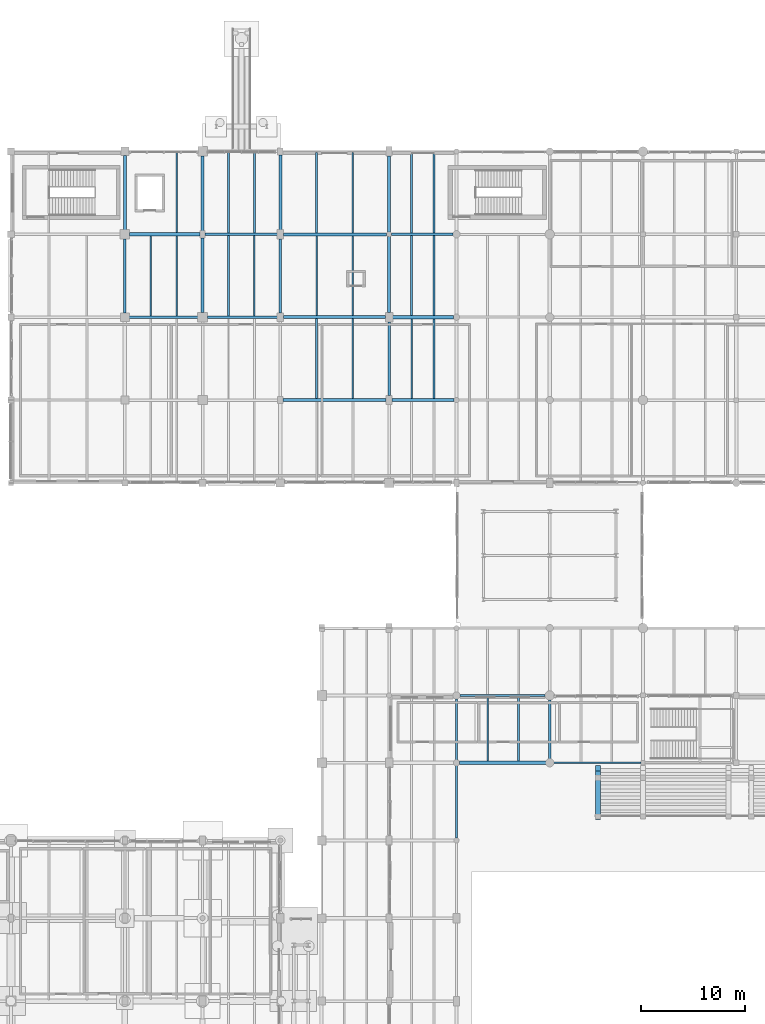
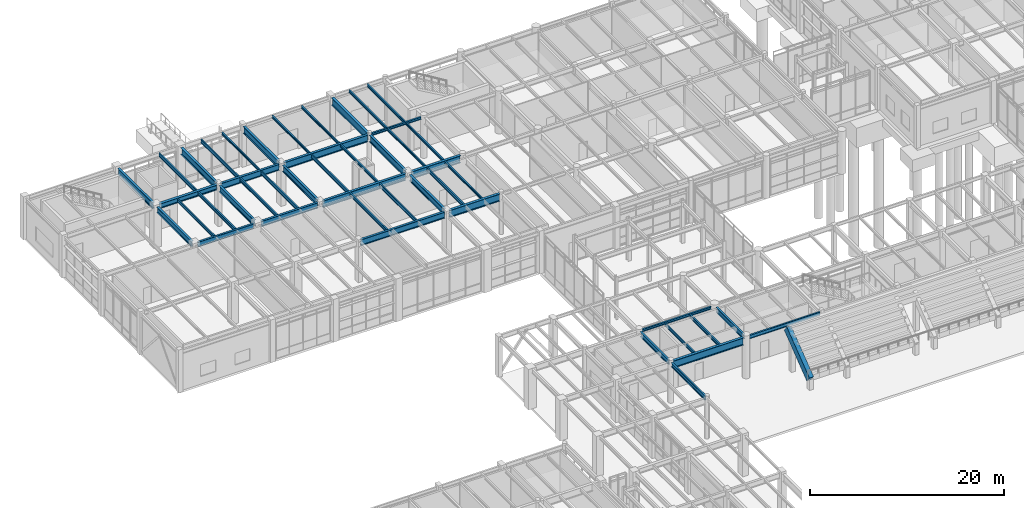
# One storey, part 68 of 203: 47 beams.
"""IFC4 building model written with IfcOpenShell, lengths in metres."""

from ifc_helpers import new_model, si_unit, direction, frame, origin, origin_2d, place, context, subcontext, project, spatial, rectangle, i_section, extrude, material, material_profile, profile_set, type_object, element, save


model = new_model("IFC4")

# Units and contexts
model_context = context("Model", 3, precision=1e-05, world=origin(), true_north=direction((0.0, 1.0)))
body_context = subcontext(model_context, "Body", "Model", "MODEL_VIEW")
ifc_project = project(units=[si_unit("LENGTHUNIT", "METRE"), si_unit("AREAUNIT", "SQUARE_METRE"), si_unit("VOLUMEUNIT", "CUBIC_METRE"), si_unit("PLANEANGLEUNIT", "RADIAN"), si_unit("MASSUNIT", "GRAM", prefix="KILO"), si_unit("THERMODYNAMICTEMPERATUREUNIT", "KELVIN"), si_unit("POWERUNIT", "WATT")], contexts=[model_context])

# Site, building, storey
site_placement = place(None, origin())
site = spatial("IfcSite", under=ifc_project, at=site_placement, CompositionType="ELEMENT")
building_placement = place(site_placement, origin())
building = spatial("IfcBuilding", under=site, at=building_placement, Name="Tepalcoro Natatorium and Aquatics Centre", CompositionType="ELEMENT")
storey_placement = place(building_placement, origin())
storey = spatial("IfcBuildingStorey", under=building, at=storey_placement, Name="L00", CompositionType="ELEMENT", Elevation=0.0)

# Beams
ifc_material_1 = material(Name="Steel ASTM A992 Grade 50 (Fy 345 MPa)", Category="steel")
ifc_material_profile_1 = material_profile(ifc_material_1, i_section(OverallWidth=0.202880859375, OverallDepth=0.304931640625, WebThickness=0.007080078125, FlangeThickness=0.012939453125, FilletRadius=0.013916015625, at=origin_2d()), Name="W12X40")
ifc_profile_set_1 = profile_set([ifc_material_profile_1], Name="Steel ASTM A992 Grade 50 (Fy 345 MPa)")
beam_type_1 = type_object("IfcBeamType", Name="BM_W12x40", PredefinedType="BEAM", material=ifc_profile_set_1)
beam_1_placement = place(storey_placement, frame((53.3349609375, 65.5, 4.9326171875), z_axis=(1.0, 0.0, 0.0), x_axis=(0.0, 1.0, 0.0)))
element("IfcBeam", 1, at=beam_1_placement, inside=storey, type_object=beam_type_1, Name="V1 L00 Grid Girder X", PredefinedType="BEAM", context=body_context, shape_type="SweptSolid", body=[
    extrude(i_section(OverallWidth=0.202880859375, OverallDepth=0.304931640625, WebThickness=0.007080078125, FlangeThickness=0.012939453125, FilletRadius=0.013916015625, at=origin_2d()), origin(), (0.0, 0.0, 1.0), 8.22998046875),
])
beam_2_placement = place(storey_placement, frame((46.735107421875, 110.0, 4.992431640625), z_axis=(1.0, 0.0, 0.0), x_axis=(0.0, 1.0, 0.0)))
element("IfcBeam", 2, at=beam_2_placement, inside=storey, type_object=beam_type_1, Name="V4 L00 Grid Girder X", PredefinedType="BEAM", context=body_context, shape_type="SweptSolid", body=[
    extrude(i_section(OverallWidth=0.202880859375, OverallDepth=0.304931640625, WebThickness=0.007080078125, FlangeThickness=0.012939453125, FilletRadius=0.013916015625, at=origin_2d()), origin(), (0.0, 0.0, 1.0), 5.929931640625),
])
ifc_material_profile_2 = material_profile(ifc_material_1, i_section(OverallWidth=0.19091796875, OverallDepth=0.45703125, WebThickness=0.009033203125, FlangeThickness=0.013916015625, FilletRadius=0.013916015625, at=origin_2d()), Name="W18X50")
ifc_profile_set_2 = profile_set([ifc_material_profile_2], Name="Steel ASTM A992 Grade 50 (Fy 345 MPa)")
beam_type_2 = type_object("IfcBeamType", Name="BM_W18x50", PredefinedType="BEAM", material=ifc_profile_set_2)
beam_3_placement = place(storey_placement, frame((62.385009765625, 59.0, 4.896484375), z_axis=(1.0, 0.0, 0.0), x_axis=(0.0, 1.0, 0.0)))
element("IfcBeam", 3, at=beam_3_placement, inside=storey, type_object=beam_type_2, Name="V1 L00 Grid Girder X", PredefinedType="BEAM", context=body_context, shape_type="SweptSolid", body=[
    extrude(i_section(OverallWidth=0.19091796875, OverallDepth=0.45703125, WebThickness=0.009033203125, FlangeThickness=0.013916015625, FilletRadius=0.013916015625, at=origin_2d()), origin(), (0.0, 0.0, 1.0), 8.429931640625),
])
ifc_material_profile_3 = material_profile(ifc_material_1, i_section(OverallWidth=0.2099609375, OverallDepth=0.532958984375, WebThickness=0.010009765625, FlangeThickness=0.01611328125, FilletRadius=0.013916015625, at=origin_2d()), Name="W21X62")
ifc_profile_set_3 = profile_set([ifc_material_profile_3], Name="Steel ASTM A992 Grade 50 (Fy 345 MPa)")
beam_type_3 = type_object("IfcBeamType", Name="BM_W21x62", PredefinedType="BEAM", material=ifc_profile_set_3)
beam_4_placement = place(storey_placement, frame((53.0, 51.735107421875, 4.8583984375), z_axis=(0.0, 1.0, 0.0), x_axis=(-1.0, 0.0, 0.0)))
element("IfcBeam", 4, at=beam_4_placement, inside=storey, type_object=beam_type_3, Name="V1 L00 Grid Girder Y", PredefinedType="BEAM", context=body_context, shape_type="SweptSolid", body=[
    extrude(i_section(OverallWidth=0.2099609375, OverallDepth=0.532958984375, WebThickness=0.010009765625, FlangeThickness=0.01611328125, FilletRadius=0.013916015625, at=origin_2d()), origin(), (0.0, 0.0, 1.0), 6.97998046875),
])
ifc_material_profile_4 = material_profile(ifc_material_1, i_section(OverallWidth=0.324951171875, OverallDepth=0.616943359375, WebThickness=0.013916015625, FlangeThickness=0.02197265625, FilletRadius=0.013916015625, at=origin_2d()), Name="W24X117")
ifc_profile_set_4 = profile_set([ifc_material_profile_4], Name="Steel ASTM A992 Grade 50 (Fy 345 MPa)")
beam_type_4 = type_object("IfcBeamType", Name="BM_W24x117", PredefinedType="BEAM", material=ifc_profile_set_4)
beam_5_placement = place(storey_placement, frame((21.43505859375, 110.0, 4.83642578125), z_axis=(1.0, 0.0, 0.0), x_axis=(0.0, 1.0, 0.0)))
element("IfcBeam", 5, at=beam_5_placement, inside=storey, type_object=beam_type_4, Name="V4 L00 Grid Girder X", PredefinedType="BEAM", context=body_context, shape_type="SweptSolid", body=[
    extrude(i_section(OverallWidth=0.324951171875, OverallDepth=0.616943359375, WebThickness=0.013916015625, FlangeThickness=0.02197265625, FilletRadius=0.013916015625, at=origin_2d()), origin(), (0.0, 0.0, 1.0), 6.829833984375),
])
ifc_material_profile_5 = material_profile(ifc_material_1, i_section(OverallWidth=0.22802734375, OverallDepth=0.60693359375, WebThickness=0.010986328125, FlangeThickness=0.01708984375, FilletRadius=0.013916015625, at=origin_2d()), Name="W24X76")
ifc_profile_set_5 = profile_set([ifc_material_profile_5], Name="Steel ASTM A992 Grade 50 (Fy 345 MPa)")
beam_type_5 = type_object("IfcBeamType", Name="BM_W24x76", PredefinedType="BEAM", material=ifc_profile_set_5)
beam_6_placement = place(storey_placement, frame((53.0, 59.284912109375, 4.821533203125), z_axis=(0.0, 1.0, 0.0), x_axis=(-1.0, 0.0, 0.0)))
element("IfcBeam", 6, at=beam_6_placement, inside=storey, type_object=beam_type_5, Name="V1 L00 Grid Girder Y", PredefinedType="BEAM", context=body_context, shape_type="SweptSolid", body=[
    extrude(i_section(OverallWidth=0.22802734375, OverallDepth=0.60693359375, WebThickness=0.010986328125, FlangeThickness=0.01708984375, FilletRadius=0.013916015625, at=origin_2d()), origin(), (0.0, 0.0, 1.0), 5.880126953125),
])
ifc_material_profile_6 = material_profile(ifc_material_1, i_section(OverallWidth=0.22998046875, OverallDepth=0.616943359375, WebThickness=0.012939453125, FlangeThickness=0.02197265625, FilletRadius=0.013916015625, at=origin_2d()), Name="W24X94")
ifc_profile_set_6 = profile_set([ifc_material_profile_6], Name="Steel ASTM A992 Grade 50 (Fy 345 MPa)")
beam_type_6 = type_object("IfcBeamType", Name="BM_W24x94", PredefinedType="BEAM", material=ifc_profile_set_6)
beam_7_placement = place(storey_placement, frame((62.0, 59.385009765625, 4.81640625), z_axis=(0.0, 1.0, 0.0), x_axis=(-1.0, 0.0, 0.0)))
element("IfcBeam", 7, at=beam_7_placement, inside=storey, type_object=beam_type_6, Name="V1 L00 Grid Girder Y", PredefinedType="BEAM", context=body_context, shape_type="SweptSolid", body=[
    extrude(i_section(OverallWidth=0.22998046875, OverallDepth=0.616943359375, WebThickness=0.012939453125, FlangeThickness=0.02197265625, FilletRadius=0.013916015625, at=origin_2d()), origin(), (0.0, 0.0, 1.0), 5.679931640625),
])
beam_8_placement = place(storey_placement, frame((21.409912109375, 102.0, 4.83642578125), z_axis=(1.0, 0.0, 0.0), x_axis=(0.0, 1.0, 0.0)))
element("IfcBeam", 8, at=beam_8_placement, inside=storey, type_object=beam_type_6, Name="V4 L00 Grid Girder X", PredefinedType="BEAM", context=body_context, shape_type="SweptSolid", body=[
    extrude(i_section(OverallWidth=0.22998046875, OverallDepth=0.616943359375, WebThickness=0.012939453125, FlangeThickness=0.02197265625, FilletRadius=0.013916015625, at=origin_2d()), origin(), (0.0, 0.0, 1.0), 6.630126953125),
])
ifc_material_profile_7 = material_profile(ifc_material_1, i_section(OverallWidth=0.25390625, OverallDepth=0.700927734375, WebThickness=0.014892578125, FlangeThickness=0.028076171875, FilletRadius=0.013916015625, at=origin_2d()), Name="W27X129")
ifc_profile_set_7 = profile_set([ifc_material_profile_7], Name="Steel ASTM A992 Grade 50 (Fy 345 MPa)")
beam_type_7 = type_object("IfcBeamType", Name="BM_W27x129", PredefinedType="BEAM", material=ifc_profile_set_7)
beam_9_placement = place(storey_placement, frame((28.9599609375, 102.0, 4.79443359375), z_axis=(1.0, 0.0, 0.0), x_axis=(0.0, 1.0, 0.0)))
element("IfcBeam", 9, at=beam_9_placement, inside=storey, type_object=beam_type_7, Name="V4 L00 Grid Girder X", PredefinedType="BEAM", context=body_context, shape_type="SweptSolid", body=[
    extrude(i_section(OverallWidth=0.25390625, OverallDepth=0.700927734375, WebThickness=0.014892578125, FlangeThickness=0.028076171875, FilletRadius=0.013916015625, at=origin_2d()), origin(), (0.0, 0.0, 1.0), 6.755126953125),
])
beam_10_placement = place(storey_placement, frame((21.0, 102.409912109375, 4.79443359375), z_axis=(0.0, 1.0, 0.0), x_axis=(-1.0, 0.0, 0.0)))
element("IfcBeam", 10, at=beam_10_placement, inside=storey, type_object=beam_type_7, Name="V4 L00 Grid Girder Y", PredefinedType="BEAM", context=body_context, shape_type="SweptSolid", body=[
    extrude(i_section(OverallWidth=0.25390625, OverallDepth=0.700927734375, WebThickness=0.014892578125, FlangeThickness=0.028076171875, FilletRadius=0.013916015625, at=origin_2d()), origin(), (0.0, 0.0, 1.0), 7.155029296875),
])
ifc_material_profile_8 = material_profile(ifc_material_1, i_section(OverallWidth=0.26708984375, OverallDepth=0.761962890625, WebThickness=0.013916015625, FlangeThickness=0.02197265625, FilletRadius=0.013916015625, at=origin_2d()), Name="W30X116")
ifc_profile_set_8 = profile_set([ifc_material_profile_8], Name="Steel ASTM A992 Grade 50 (Fy 345 MPa)")
beam_type_8 = type_object("IfcBeamType", Name="BM_W30x116", PredefinedType="BEAM", material=ifc_profile_set_8)
beam_11_placement = place(storey_placement, frame((28.735107421875, 110.0, 4.763916015625), z_axis=(1.0, 0.0, 0.0), x_axis=(0.0, 1.0, 0.0)))
element("IfcBeam", 11, at=beam_11_placement, inside=storey, type_object=beam_type_8, Name="V4 L00 Grid Girder X", PredefinedType="BEAM", context=body_context, shape_type="SweptSolid", body=[
    extrude(i_section(OverallWidth=0.26708984375, OverallDepth=0.761962890625, WebThickness=0.013916015625, FlangeThickness=0.02197265625, FilletRadius=0.013916015625, at=origin_2d()), origin(), (0.0, 0.0, 1.0), 6.97998046875),
])
beam_12_placement = place(storey_placement, frame((28.5, 102.4599609375, 4.763916015625), z_axis=(0.0, 1.0, 0.0), x_axis=(-1.0, 0.0, 0.0)))
element("IfcBeam", 12, at=beam_12_placement, inside=storey, type_object=beam_type_8, Name="V4 L00 Grid Girder Y", PredefinedType="BEAM", context=body_context, shape_type="SweptSolid", body=[
    extrude(i_section(OverallWidth=0.26708984375, OverallDepth=0.761962890625, WebThickness=0.013916015625, FlangeThickness=0.02197265625, FilletRadius=0.013916015625, at=origin_2d()), origin(), (0.0, 0.0, 1.0), 7.205078125),
])
beam_13_placement = place(storey_placement, frame((46.5, 94.43505859375, 4.763916015625), z_axis=(0.0, 1.0, 0.0), x_axis=(-1.0, 0.0, 0.0)))
element("IfcBeam", 13, at=beam_13_placement, inside=storey, type_object=beam_type_8, Name="V4 L00 Grid Girder Y", PredefinedType="BEAM", context=body_context, shape_type="SweptSolid", body=[
    extrude(i_section(OverallWidth=0.26708984375, OverallDepth=0.761962890625, WebThickness=0.013916015625, FlangeThickness=0.02197265625, FilletRadius=0.013916015625, at=origin_2d()), origin(), (0.0, 0.0, 1.0), 7.10498046875),
])
ifc_material_profile_9 = material_profile(ifc_material_1, i_section(OverallWidth=0.26708984375, OverallDepth=0.780029296875, WebThickness=0.01708984375, FlangeThickness=0.030029296875, FilletRadius=0.013916015625, at=origin_2d()), Name="W30X148")
ifc_profile_set_9 = profile_set([ifc_material_profile_9], Name="Steel ASTM A992 Grade 50 (Fy 345 MPa)")
beam_type_9 = type_object("IfcBeamType", Name="BM_W30x148", PredefinedType="BEAM", material=ifc_profile_set_9)
beam_14_placement = place(storey_placement, frame((36.235107421875, 94.0, 4.7548828125), z_axis=(1.0, 0.0, 0.0), x_axis=(0.0, 1.0, 0.0)))
element("IfcBeam", 14, at=beam_14_placement, inside=storey, type_object=beam_type_9, Name="V4 L00 Grid Girder X", PredefinedType="BEAM", context=body_context, shape_type="SweptSolid", body=[
    extrude(i_section(OverallWidth=0.26708984375, OverallDepth=0.780029296875, WebThickness=0.01708984375, FlangeThickness=0.030029296875, FilletRadius=0.013916015625, at=origin_2d()), origin(), (0.0, 0.0, 1.0), 9.97998046875),
])
for number, where, z_axis, x_axis, name in (
    (15, (21.0, 110.43505859375, 4.7548828125), (0.0, 1.0, 0.0), (-1.0, 0.0, 0.0), "V4 L00 Grid Girder Y"),
    (16, (36.0, 102.385009765625, 4.7548828125), (0.0, 1.0, 0.0), (-1.0, 0.0, 0.0), "V4 L00 Grid Girder Y"),
):
    element("IfcBeam", number, at=place(storey_placement, frame(where, z_axis=z_axis, x_axis=x_axis)), inside=storey, type_object=beam_type_9, Name=name, PredefinedType="BEAM", context=body_context, shape_type="SweptSolid", body=[
        extrude(i_section(OverallWidth=0.26708984375, OverallDepth=0.780029296875, WebThickness=0.01708984375, FlangeThickness=0.030029296875, FilletRadius=0.013916015625, at=origin_2d()), origin(), (0.0, 0.0, 1.0), 7.179931640625),
    ])
ifc_material_profile_10 = material_profile(ifc_material_1, i_section(OverallWidth=0.2919921875, OverallDepth=0.845947265625, WebThickness=0.014892578125, FlangeThickness=0.02392578125, FilletRadius=0.013916015625, at=origin_2d()), Name="W33X141")
ifc_profile_set_10 = profile_set([ifc_material_profile_10], Name="Steel ASTM A992 Grade 50 (Fy 345 MPa)")
beam_type_10 = type_object("IfcBeamType", Name="BM_W33x141", PredefinedType="BEAM", material=ifc_profile_set_10)
beam_15_placement = place(storey_placement, frame((36.284912109375, 102.0, 4.721923828125), z_axis=(1.0, 0.0, 0.0), x_axis=(0.0, 1.0, 0.0)))
element("IfcBeam", 17, at=beam_15_placement, inside=storey, type_object=beam_type_10, Name="V4 L00 Grid Girder X", PredefinedType="BEAM", context=body_context, shape_type="SweptSolid", body=[
    extrude(i_section(OverallWidth=0.2919921875, OverallDepth=0.845947265625, WebThickness=0.014892578125, FlangeThickness=0.02392578125, FilletRadius=0.013916015625, at=origin_2d()), origin(), (0.0, 0.0, 1.0), 9.880126953125),
])
beam_16_placement = place(storey_placement, frame((28.5, 110.3349609375, 4.721923828125), z_axis=(0.0, 1.0, 0.0), x_axis=(-1.0, 0.0, 0.0)))
element("IfcBeam", 18, at=beam_16_placement, inside=storey, type_object=beam_type_10, Name="V4 L00 Grid Girder Y", PredefinedType="BEAM", context=body_context, shape_type="SweptSolid", body=[
    extrude(i_section(OverallWidth=0.2919921875, OverallDepth=0.845947265625, WebThickness=0.014892578125, FlangeThickness=0.02392578125, FilletRadius=0.013916015625, at=origin_2d()), origin(), (0.0, 0.0, 1.0), 7.22998046875),
])
beam_17_placement = place(storey_placement, frame((46.5, 102.4599609375, 4.721923828125), z_axis=(0.0, 1.0, 0.0), x_axis=(-1.0, 0.0, 0.0)))
element("IfcBeam", 19, at=beam_17_placement, inside=storey, type_object=beam_type_10, Name="V4 L00 Grid Girder Y", PredefinedType="BEAM", context=body_context, shape_type="SweptSolid", body=[
    extrude(i_section(OverallWidth=0.2919921875, OverallDepth=0.845947265625, WebThickness=0.014892578125, FlangeThickness=0.02392578125, FilletRadius=0.013916015625, at=origin_2d()), origin(), (0.0, 0.0, 1.0), 7.304931640625),
])
ifc_material_profile_11 = material_profile(ifc_material_1, i_section(OverallWidth=0.2919921875, OverallDepth=0.85888671875, WebThickness=0.01708984375, FlangeThickness=0.031005859375, FilletRadius=0.013916015625, at=origin_2d()), Name="W33X169")
ifc_profile_set_11 = profile_set([ifc_material_profile_11], Name="Steel ASTM A992 Grade 50 (Fy 345 MPa)")
beam_type_11 = type_object("IfcBeamType", Name="BM_W33x169", PredefinedType="BEAM", material=ifc_profile_set_11)
beam_18_placement = place(storey_placement, frame((36.284912109375, 110.0, 4.715576171875), z_axis=(1.0, 0.0, 0.0), x_axis=(0.0, 1.0, 0.0)))
element("IfcBeam", 20, at=beam_18_placement, inside=storey, type_object=beam_type_11, Name="V4 L00 Grid Girder X", PredefinedType="BEAM", context=body_context, shape_type="SweptSolid", body=[
    extrude(i_section(OverallWidth=0.2919921875, OverallDepth=0.85888671875, WebThickness=0.01708984375, FlangeThickness=0.031005859375, FilletRadius=0.013916015625, at=origin_2d()), origin(), (0.0, 0.0, 1.0), 9.97998046875),
])
beam_19_placement = place(storey_placement, frame((36.0, 110.43505859375, 4.715576171875), z_axis=(0.0, 1.0, 0.0), x_axis=(-1.0, 0.0, 0.0)))
element("IfcBeam", 21, at=beam_19_placement, inside=storey, type_object=beam_type_11, Name="V4 L00 Grid Girder Y", PredefinedType="BEAM", context=body_context, shape_type="SweptSolid", body=[
    extrude(i_section(OverallWidth=0.2919921875, OverallDepth=0.85888671875, WebThickness=0.01708984375, FlangeThickness=0.031005859375, FilletRadius=0.013916015625, at=origin_2d()), origin(), (0.0, 0.0, 1.0), 7.22998046875),
])
ifc_material_profile_12 = material_profile(ifc_material_1, i_section(OverallWidth=0.304931640625, OverallDepth=0.9189453125, WebThickness=0.01708984375, FlangeThickness=0.028076171875, FilletRadius=0.013916015625, at=origin_2d()), Name="W36X170")
ifc_profile_set_12 = profile_set([ifc_material_profile_12], Name="Steel ASTM A992 Grade 50 (Fy 345 MPa)")
beam_type_12 = type_object("IfcBeamType", Name="BM_W36x170", PredefinedType="BEAM", material=ifc_profile_set_12)
beam_20_placement = place(storey_placement, frame((46.784912109375, 94.0, 4.685546875), z_axis=(1.0, 0.0, 0.0), x_axis=(0.0, 1.0, 0.0)))
element("IfcBeam", 22, at=beam_20_placement, inside=storey, type_object=beam_type_12, Name="V4 L00 Grid Girder X", PredefinedType="BEAM", context=body_context, shape_type="SweptSolid", body=[
    extrude(i_section(OverallWidth=0.304931640625, OverallDepth=0.9189453125, WebThickness=0.01708984375, FlangeThickness=0.028076171875, FilletRadius=0.013916015625, at=origin_2d()), origin(), (0.0, 0.0, 1.0), 5.97998046875),
])
beam_21_placement = place(storey_placement, frame((46.5, 110.235107421875, 4.685546875), z_axis=(0.0, 1.0, 0.0), x_axis=(-1.0, 0.0, 0.0)))
element("IfcBeam", 23, at=beam_21_placement, inside=storey, type_object=beam_type_12, Name="V4 L00 Grid Girder Y", PredefinedType="BEAM", context=body_context, shape_type="SweptSolid", body=[
    extrude(i_section(OverallWidth=0.304931640625, OverallDepth=0.9189453125, WebThickness=0.01708984375, FlangeThickness=0.028076171875, FilletRadius=0.013916015625, at=origin_2d()), origin(), (0.0, 0.0, 1.0), 7.329833984375),
])
ifc_material_profile_13 = material_profile(ifc_material_1, i_section(OverallWidth=0.31005859375, OverallDepth=0.931884765625, WebThickness=0.02099609375, FlangeThickness=0.034912109375, FilletRadius=0.013916015625, at=origin_2d()), Name="W36X210")
ifc_profile_set_13 = profile_set([ifc_material_profile_13], Name="Steel ASTM A992 Grade 50 (Fy 345 MPa)")
beam_type_13 = type_object("IfcBeamType", Name="BM_W36x210", PredefinedType="BEAM", material=ifc_profile_set_13)
beam_22_placement = place(storey_placement, frame((53.284912109375, 59.0, 4.658935546875), z_axis=(1.0, 0.0, 0.0), x_axis=(0.0, 1.0, 0.0)))
element("IfcBeam", 24, at=beam_22_placement, inside=storey, type_object=beam_type_13, Name="V1 L00 Grid Girder X", PredefinedType="BEAM", context=body_context, shape_type="SweptSolid", body=[
    extrude(i_section(OverallWidth=0.31005859375, OverallDepth=0.931884765625, WebThickness=0.02099609375, FlangeThickness=0.034912109375, FilletRadius=0.013916015625, at=origin_2d()), origin(), (0.0, 0.0, 1.0), 8.330078125),
])
beam_23_placement = place(storey_placement, frame((46.8349609375, 102.0, 4.678955078125), z_axis=(1.0, 0.0, 0.0), x_axis=(0.0, 1.0, 0.0)))
element("IfcBeam", 25, at=beam_23_placement, inside=storey, type_object=beam_type_13, Name="V4 L00 Grid Girder X", PredefinedType="BEAM", context=body_context, shape_type="SweptSolid", body=[
    extrude(i_section(OverallWidth=0.31005859375, OverallDepth=0.931884765625, WebThickness=0.02099609375, FlangeThickness=0.034912109375, FilletRadius=0.013916015625, at=origin_2d()), origin(), (0.0, 0.0, 1.0), 5.880126953125),
])
ifc_material_profile_14 = material_profile(ifc_material_1, i_section(OverallWidth=0.1650390625, OverallDepth=0.31005859375, WebThickness=0.006103515625, FlangeThickness=0.010009765625, FilletRadius=0.013916015625, at=origin_2d()), Name="W12X26")
ifc_profile_set_14 = profile_set([ifc_material_profile_14], Name="Steel ASTM A992 Grade 50 (Fy 345 MPa)")
beam_type_14 = type_object("IfcBeamType", Name="JS_W12x26", PredefinedType="JOIST", material=ifc_profile_set_14)
beam_24_placement = place(storey_placement, frame((33.5, 110.133544921875, 4.989990234375), z_axis=(0.0, 1.0, 0.0), x_axis=(-1.0, 0.0, 0.0)))
element("IfcBeam", 26, at=beam_24_placement, inside=storey, type_object=beam_type_14, Name="V4 L00 Floor Joist", PredefinedType="JOIST", context=body_context, shape_type="SweptSolid", body=[
    extrude(i_section(OverallWidth=0.1650390625, OverallDepth=0.31005859375, WebThickness=0.006103515625, FlangeThickness=0.010009765625, FilletRadius=0.013916015625, at=origin_2d()), origin(), (0.0, 0.0, 1.0), 7.751953125),
])
beam_25_placement = place(storey_placement, frame((43.0, 102.14599609375, 4.989990234375), z_axis=(0.0, 1.0, 0.0), x_axis=(-1.0, 0.0, 0.0)))
element("IfcBeam", 27, at=beam_25_placement, inside=storey, type_object=beam_type_14, Name="V4 L00 Floor Joist", PredefinedType="JOIST", context=body_context, shape_type="SweptSolid", body=[
    extrude(i_section(OverallWidth=0.1650390625, OverallDepth=0.31005859375, WebThickness=0.006103515625, FlangeThickness=0.010009765625, FilletRadius=0.013916015625, at=origin_2d()), origin(), (0.0, 0.0, 1.0), 7.7080078125),
])
beam_26_placement = place(storey_placement, frame((39.5, 110.14599609375, 4.989990234375), z_axis=(0.0, 1.0, 0.0), x_axis=(-1.0, 0.0, 0.0)))
element("IfcBeam", 28, at=beam_26_placement, inside=storey, type_object=beam_type_14, Name="V4 L00 Floor Joist", PredefinedType="JOIST", context=body_context, shape_type="SweptSolid", body=[
    extrude(i_section(OverallWidth=0.1650390625, OverallDepth=0.31005859375, WebThickness=0.006103515625, FlangeThickness=0.010009765625, FilletRadius=0.013916015625, at=origin_2d()), origin(), (0.0, 0.0, 1.0), 7.763916015625),
])
beam_27_placement = place(storey_placement, frame((50.833251953125, 94.152587890625, 4.989990234375), z_axis=(0.0, 1.0, 0.0), x_axis=(-1.0, 0.0, 0.0)))
element("IfcBeam", 29, at=beam_27_placement, inside=storey, type_object=beam_type_14, Name="V4 L00 Floor Joist", PredefinedType="JOIST", context=body_context, shape_type="SweptSolid", body=[
    extrude(i_section(OverallWidth=0.1650390625, OverallDepth=0.31005859375, WebThickness=0.006103515625, FlangeThickness=0.010009765625, FilletRadius=0.013916015625, at=origin_2d()), origin(), (0.0, 0.0, 1.0), 7.6923828125),
])
beam_28_placement = place(storey_placement, frame((48.666748046875, 102.155029296875, 4.989990234375), z_axis=(0.0, 1.0, 0.0), x_axis=(-1.0, 0.0, 0.0)))
element("IfcBeam", 30, at=beam_28_placement, inside=storey, type_object=beam_type_14, Name="V4 L00 Floor Joist", PredefinedType="JOIST", context=body_context, shape_type="SweptSolid", body=[
    extrude(i_section(OverallWidth=0.1650390625, OverallDepth=0.31005859375, WebThickness=0.006103515625, FlangeThickness=0.010009765625, FilletRadius=0.013916015625, at=origin_2d()), origin(), (0.0, 0.0, 1.0), 7.743408203125),
])
ifc_material_profile_15 = material_profile(ifc_material_1, i_section(OverallWidth=0.1669921875, OverallDepth=0.318115234375, WebThickness=0.008056640625, FlangeThickness=0.012939453125, FilletRadius=0.013916015625, at=origin_2d()), Name="W12X35")
ifc_profile_set_15 = profile_set([ifc_material_profile_15], Name="Steel ASTM A992 Grade 50 (Fy 345 MPa)")
beam_type_15 = type_object("IfcBeamType", Name="JS_W12x35", PredefinedType="JOIST", material=ifc_profile_set_15)
beam_29_placement = place(storey_placement, frame((43.0, 110.14599609375, 4.986083984375), z_axis=(0.0, 1.0, 0.0), x_axis=(-1.0, 0.0, 0.0)))
element("IfcBeam", 31, at=beam_29_placement, inside=storey, type_object=beam_type_15, Name="V4 L00 Floor Joist", PredefinedType="JOIST", context=body_context, shape_type="SweptSolid", body=[
    extrude(i_section(OverallWidth=0.1669921875, OverallDepth=0.318115234375, WebThickness=0.008056640625, FlangeThickness=0.012939453125, FilletRadius=0.013916015625, at=origin_2d()), origin(), (0.0, 0.0, 1.0), 7.763916015625),
])
beam_30_placement = place(storey_placement, frame((50.833251953125, 102.155029296875, 4.986083984375), z_axis=(0.0, 1.0, 0.0), x_axis=(-1.0, 0.0, 0.0)))
element("IfcBeam", 32, at=beam_30_placement, inside=storey, type_object=beam_type_15, Name="V4 L00 Floor Joist", PredefinedType="JOIST", context=body_context, shape_type="SweptSolid", body=[
    extrude(i_section(OverallWidth=0.1669921875, OverallDepth=0.318115234375, WebThickness=0.008056640625, FlangeThickness=0.012939453125, FilletRadius=0.013916015625, at=origin_2d()), origin(), (0.0, 0.0, 1.0), 7.743408203125),
])
beam_31_placement = place(storey_placement, frame((48.666748046875, 110.1015625, 4.986083984375), z_axis=(0.0, 1.0, 0.0), x_axis=(-1.0, 0.0, 0.0)))
element("IfcBeam", 33, at=beam_31_placement, inside=storey, type_object=beam_type_15, Name="V4 L00 Floor Joist", PredefinedType="JOIST", context=body_context, shape_type="SweptSolid", body=[
    extrude(i_section(OverallWidth=0.1669921875, OverallDepth=0.318115234375, WebThickness=0.008056640625, FlangeThickness=0.012939453125, FilletRadius=0.013916015625, at=origin_2d()), origin(), (0.0, 0.0, 1.0), 7.802978515625),
])
ifc_material_profile_16 = material_profile(ifc_material_1, i_section(OverallWidth=0.1708984375, OverallDepth=0.35107421875, WebThickness=0.007080078125, FlangeThickness=0.010009765625, FilletRadius=0.013916015625, at=origin_2d()), Name="W14X30")
ifc_profile_set_16 = profile_set([ifc_material_profile_16], Name="Steel ASTM A992 Grade 50 (Fy 345 MPa)")
beam_type_16 = type_object("IfcBeamType", Name="JS_W14x30", PredefinedType="JOIST", material=ifc_profile_set_16)
beam_32_placement = place(storey_placement, frame((50.833251953125, 110.1015625, 4.969482421875), z_axis=(0.0, 1.0, 0.0), x_axis=(-1.0, 0.0, 0.0)))
element("IfcBeam", 34, at=beam_32_placement, inside=storey, type_object=beam_type_16, Name="V4 L00 Floor Joist", PredefinedType="JOIST", context=body_context, shape_type="SweptSolid", body=[
    extrude(i_section(OverallWidth=0.1708984375, OverallDepth=0.35107421875, WebThickness=0.007080078125, FlangeThickness=0.010009765625, FilletRadius=0.013916015625, at=origin_2d()), origin(), (0.0, 0.0, 1.0), 7.802978515625),
])
ifc_material_profile_17 = material_profile(ifc_material_1, i_section(OverallWidth=0.139892578125, OverallDepth=0.404052734375, WebThickness=0.007080078125, FlangeThickness=0.010986328125, FilletRadius=0.013916015625, at=origin_2d()), Name="W16X31")
ifc_profile_set_17 = profile_set([ifc_material_profile_17], Name="Steel ASTM A992 Grade 50 (Fy 345 MPa)")
beam_type_17 = type_object("IfcBeamType", Name="JS_W16x31", PredefinedType="JOIST", material=ifc_profile_set_17)
beam_33_placement = place(storey_placement, frame((56.0, 59.155029296875, 4.883056640625), z_axis=(0.0, 1.0, 0.0), x_axis=(-1.0, 0.0, 0.0)))
element("IfcBeam", 35, at=beam_33_placement, inside=storey, type_object=beam_type_17, Name="V1 L00 Floor Joist", PredefinedType="JOIST", context=body_context, shape_type="SweptSolid", body=[
    extrude(i_section(OverallWidth=0.139892578125, OverallDepth=0.404052734375, WebThickness=0.007080078125, FlangeThickness=0.010986328125, FilletRadius=0.013916015625, at=origin_2d()), origin(), (0.0, 0.0, 1.0), 6.243408203125),
])
beam_34_placement = place(storey_placement, frame((23.5, 102.114990234375, 4.943115234375), z_axis=(0.0, 1.0, 0.0), x_axis=(-1.0, 0.0, 0.0)))
element("IfcBeam", 36, at=beam_34_placement, inside=storey, type_object=beam_type_17, Name="V4 L00 Floor Joist", PredefinedType="JOIST", context=body_context, shape_type="SweptSolid", body=[
    extrude(i_section(OverallWidth=0.139892578125, OverallDepth=0.404052734375, WebThickness=0.007080078125, FlangeThickness=0.010986328125, FilletRadius=0.013916015625, at=origin_2d()), origin(), (0.0, 0.0, 1.0), 7.722412109375),
])
ifc_material_profile_18 = material_profile(ifc_material_1, i_section(OverallWidth=0.178955078125, OverallDepth=0.409912109375, WebThickness=0.009033203125, FlangeThickness=0.013916015625, FilletRadius=0.013916015625, at=origin_2d()), Name="W16X45")
ifc_profile_set_18 = profile_set([ifc_material_profile_18], Name="Steel ASTM A992 Grade 50 (Fy 345 MPa)")
beam_type_18 = type_object("IfcBeamType", Name="JS_W16x45", PredefinedType="JOIST", material=ifc_profile_set_18)
beam_35_placement = place(storey_placement, frame((59.0, 59.155029296875, 4.8798828125), z_axis=(0.0, 1.0, 0.0), x_axis=(-1.0, 0.0, 0.0)))
element("IfcBeam", 37, at=beam_35_placement, inside=storey, type_object=beam_type_18, Name="V1 L00 Floor Joist", PredefinedType="JOIST", context=body_context, shape_type="SweptSolid", body=[
    extrude(i_section(OverallWidth=0.178955078125, OverallDepth=0.409912109375, WebThickness=0.009033203125, FlangeThickness=0.013916015625, FilletRadius=0.013916015625, at=origin_2d()), origin(), (0.0, 0.0, 1.0), 6.243408203125),
])
beam_36_placement = place(storey_placement, frame((26.0, 102.114990234375, 4.93994140625), z_axis=(0.0, 1.0, 0.0), x_axis=(-1.0, 0.0, 0.0)))
element("IfcBeam", 38, at=beam_36_placement, inside=storey, type_object=beam_type_18, Name="V4 L00 Floor Joist", PredefinedType="JOIST", context=body_context, shape_type="SweptSolid", body=[
    extrude(i_section(OverallWidth=0.178955078125, OverallDepth=0.409912109375, WebThickness=0.009033203125, FlangeThickness=0.013916015625, FilletRadius=0.013916015625, at=origin_2d()), origin(), (0.0, 0.0, 1.0), 7.722412109375),
])
beam_37_placement = place(storey_placement, frame((31.0, 102.126953125, 4.93994140625), z_axis=(0.0, 1.0, 0.0), x_axis=(-1.0, 0.0, 0.0)))
element("IfcBeam", 39, at=beam_37_placement, inside=storey, type_object=beam_type_18, Name="V4 L00 Floor Joist", PredefinedType="JOIST", context=body_context, shape_type="SweptSolid", body=[
    extrude(i_section(OverallWidth=0.178955078125, OverallDepth=0.409912109375, WebThickness=0.009033203125, FlangeThickness=0.013916015625, FilletRadius=0.013916015625, at=origin_2d()), origin(), (0.0, 0.0, 1.0), 7.739501953125),
])
beam_38_placement = place(storey_placement, frame((39.5, 94.133544921875, 4.93994140625), z_axis=(0.0, 1.0, 0.0), x_axis=(-1.0, 0.0, 0.0)))
element("IfcBeam", 40, at=beam_38_placement, inside=storey, type_object=beam_type_18, Name="V4 L00 Floor Joist", PredefinedType="JOIST", context=body_context, shape_type="SweptSolid", body=[
    extrude(i_section(OverallWidth=0.178955078125, OverallDepth=0.409912109375, WebThickness=0.009033203125, FlangeThickness=0.013916015625, FilletRadius=0.013916015625, at=origin_2d()), origin(), (0.0, 0.0, 1.0), 7.720458984375),
])
ifc_material_profile_19 = material_profile(ifc_material_1, i_section(OverallWidth=0.153076171875, OverallDepth=0.455078125, WebThickness=0.008056640625, FlangeThickness=0.012939453125, FilletRadius=0.013916015625, at=origin_2d()), Name="W18X40")
ifc_profile_set_19 = profile_set([ifc_material_profile_19], Name="Steel ASTM A992 Grade 50 (Fy 345 MPa)")
beam_type_19 = type_object("IfcBeamType", Name="JS_W18x40", PredefinedType="JOIST", material=ifc_profile_set_19)
beam_39_placement = place(storey_placement, frame((26.0, 110.16259765625, 4.91748046875), z_axis=(0.0, 1.0, 0.0), x_axis=(-1.0, 0.0, 0.0)))
element("IfcBeam", 41, at=beam_39_placement, inside=storey, type_object=beam_type_19, Name="V4 L00 Floor Joist", PredefinedType="JOIST", context=body_context, shape_type="SweptSolid", body=[
    extrude(i_section(OverallWidth=0.153076171875, OverallDepth=0.455078125, WebThickness=0.008056640625, FlangeThickness=0.012939453125, FilletRadius=0.013916015625, at=origin_2d()), origin(), (0.0, 0.0, 1.0), 7.732421875),
])
beam_40_placement = place(storey_placement, frame((33.5, 102.126953125, 4.91748046875), z_axis=(0.0, 1.0, 0.0), x_axis=(-1.0, 0.0, 0.0)))
element("IfcBeam", 42, at=beam_40_placement, inside=storey, type_object=beam_type_19, Name="V4 L00 Floor Joist", PredefinedType="JOIST", context=body_context, shape_type="SweptSolid", body=[
    extrude(i_section(OverallWidth=0.153076171875, OverallDepth=0.455078125, WebThickness=0.008056640625, FlangeThickness=0.012939453125, FilletRadius=0.013916015625, at=origin_2d()), origin(), (0.0, 0.0, 1.0), 7.739501953125),
])
beam_41_placement = place(storey_placement, frame((31.0, 110.133544921875, 4.91748046875), z_axis=(0.0, 1.0, 0.0), x_axis=(-1.0, 0.0, 0.0)))
element("IfcBeam", 43, at=beam_41_placement, inside=storey, type_object=beam_type_19, Name="V4 L00 Floor Joist", PredefinedType="JOIST", context=body_context, shape_type="SweptSolid", body=[
    extrude(i_section(OverallWidth=0.153076171875, OverallDepth=0.455078125, WebThickness=0.008056640625, FlangeThickness=0.012939453125, FilletRadius=0.013916015625, at=origin_2d()), origin(), (0.0, 0.0, 1.0), 7.751953125),
])
beam_42_placement = place(storey_placement, frame((43.0, 94.133544921875, 4.91748046875), z_axis=(0.0, 1.0, 0.0), x_axis=(-1.0, 0.0, 0.0)))
element("IfcBeam", 44, at=beam_42_placement, inside=storey, type_object=beam_type_19, Name="V4 L00 Floor Joist", PredefinedType="JOIST", context=body_context, shape_type="SweptSolid", body=[
    extrude(i_section(OverallWidth=0.153076171875, OverallDepth=0.455078125, WebThickness=0.008056640625, FlangeThickness=0.012939453125, FilletRadius=0.013916015625, at=origin_2d()), origin(), (0.0, 0.0, 1.0), 7.720458984375),
])
beam_43_placement = place(storey_placement, frame((39.5, 102.14599609375, 4.91748046875), z_axis=(0.0, 1.0, 0.0), x_axis=(-1.0, 0.0, 0.0)))
element("IfcBeam", 45, at=beam_43_placement, inside=storey, type_object=beam_type_19, Name="V4 L00 Floor Joist", PredefinedType="JOIST", context=body_context, shape_type="SweptSolid", body=[
    extrude(i_section(OverallWidth=0.153076171875, OverallDepth=0.455078125, WebThickness=0.008056640625, FlangeThickness=0.012939453125, FilletRadius=0.013916015625, at=origin_2d()), origin(), (0.0, 0.0, 1.0), 7.7080078125),
])
beam_44_placement = place(storey_placement, frame((48.666748046875, 94.152587890625, 4.91748046875), z_axis=(0.0, 1.0, 0.0), x_axis=(-1.0, 0.0, 0.0)))
element("IfcBeam", 46, at=beam_44_placement, inside=storey, type_object=beam_type_19, Name="V4 L00 Floor Joist", PredefinedType="JOIST", context=body_context, shape_type="SweptSolid", body=[
    extrude(i_section(OverallWidth=0.153076171875, OverallDepth=0.455078125, WebThickness=0.008056640625, FlangeThickness=0.012939453125, FilletRadius=0.013916015625, at=origin_2d()), origin(), (0.0, 0.0, 1.0), 7.6923828125),
])
ifc_material_2 = material(Name="Concrete C40/50 (fc 40 MPa)", Category="concrete")
ifc_material_profile_20 = material_profile(ifc_material_2, rectangle(XDim=0.5, YDim=0.89990234375, at=origin_2d()), Name="RKR500x900")
ifc_profile_set_20 = profile_set([ifc_material_profile_20], Name="Concrete C40/50 (fc 40 MPa)")
beam_type_20 = type_object("IfcBeamType", Name="RK_RC_500x900", PredefinedType="USERDEFINED", material=ifc_profile_set_20)
beam_45_placement = place(storey_placement, frame((66.64990234375, 53.800048828125, 1.25), z_axis=(0.0, 0.793431117483, 0.608660054389), x_axis=(-1.0, 0.0, 0.0)))
element("IfcBeam", 47, at=beam_45_placement, inside=storey, type_object=beam_type_20, Name="Spectator Bowl Raker Beam N-1", ObjectType="RAKER", PredefinedType="USERDEFINED", context=body_context, shape_type="SweptSolid", body=[
    extrude(rectangle(XDim=0.5, YDim=0.89990234375, at=origin_2d()), origin(), (0.0, 0.0, 1.0), 5.8984375),
])

save(model, "model.ifc")
